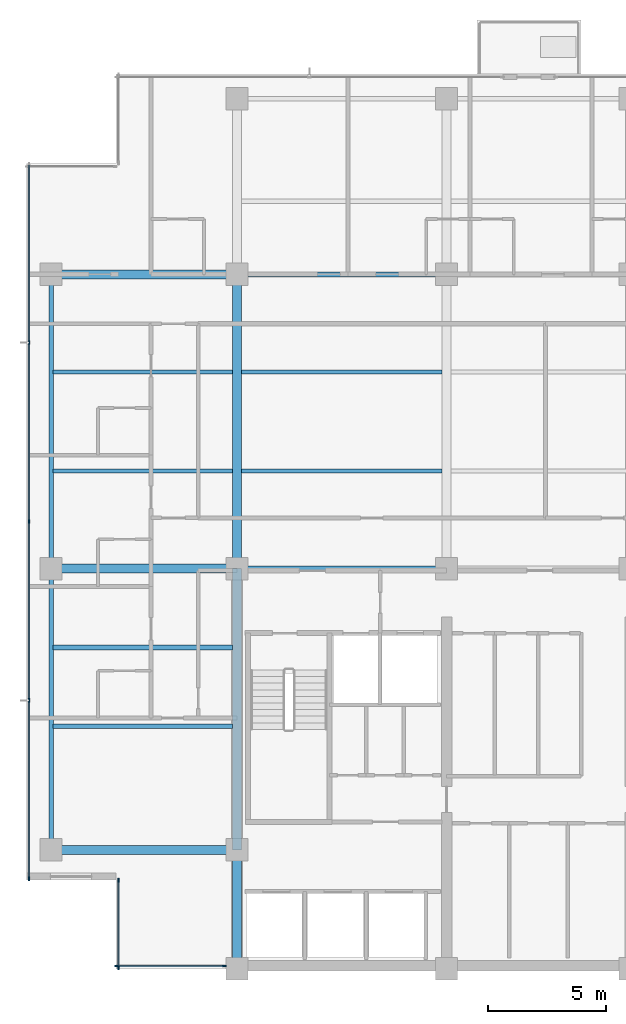
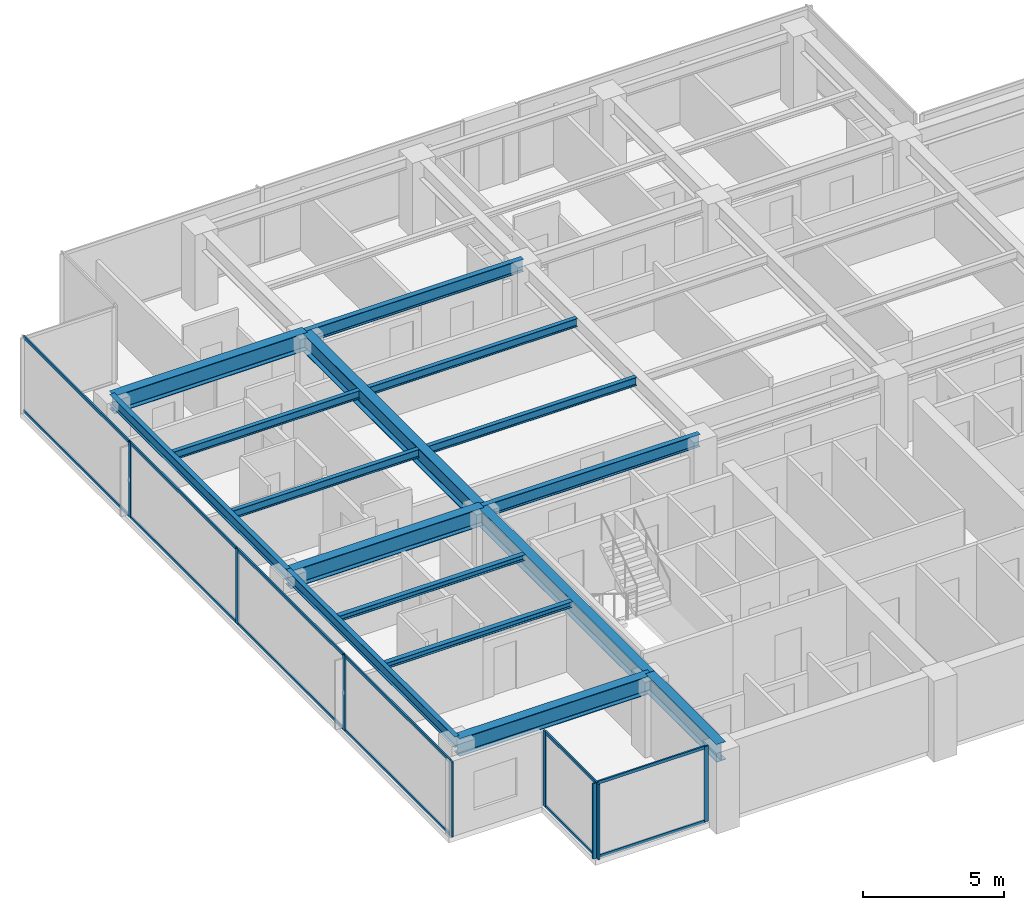
# One storey, part 2 of 15: 20 members, 16 beams, 3 elements without a shape of their own.
"""IFC4 building model written with IfcOpenShell, lengths in metres."""

import ifcopenshell
import ifcopenshell.guid

model = None  # the IFC model being written
_history = None  # IfcOwnerHistory: only IFC2X3 demands one
_inside = {}  # id of a spatial element -> (the spatial element, [elements in it])
_under = {}  # id of a project, library or spatial element -> (it, [spatial elements below it])
_declared = {}  # id of a project -> (the project, [libraries it declares])
_typed = {}  # id of a type object -> (the type object, [elements of that type])
_made_of = {}  # id of a material, layer set ... -> (it, [elements and type objects made of it])


def new_model(schema):
    """Start an empty IFC model of exactly this schema.

    Asked for "IFC4X3", IfcOpenShell would pick the latest addendum, in which some entities
    have other attributes; the version numbers below select the first issue.
    IFC2X3 requires an IfcOwnerHistory on every rooted entity: one is made here for all.
    """
    global model, _history
    if schema == "IFC4X3":
        model = ifcopenshell.file(schema_version=(4, 3, 0, 0))
    else:
        model = ifcopenshell.file(schema=schema)
    _inside.clear()
    _under.clear()
    _declared.clear()
    _typed.clear()
    _made_of.clear()
    _history = None
    if model.schema == "IFC2X3":
        org = make("IfcOrganization", Name="unknown")
        user = make(
            "IfcPersonAndOrganization",
            ThePerson=make("IfcPerson", FamilyName="unknown"),
            TheOrganization=org,
        )
        app = make(
            "IfcApplication",
            ApplicationDeveloper=org,
            Version="unknown",
            ApplicationFullName="unknown",
            ApplicationIdentifier="unknown",
        )
        _history = make(
            "IfcOwnerHistory",
            OwningUser=user,
            OwningApplication=app,
            ChangeAction="ADDED",
            CreationDate=0,
        )
    return model


def make(cls, **values):
    """One entity of the class cls with the attributes given. An attribute that is None is left unset."""
    return model.create_entity(
        cls, **{name: value for name, value in values.items() if value is not None}
    )


def rooted(cls, **values):
    """An entity with a GlobalId (a new one), such as an element, a storey or a relation."""
    return make(cls, GlobalId=ifcopenshell.guid.new(), OwnerHistory=_history, **values)


def si_unit(unit_type, name, prefix=None):
    """IfcSIUnit, for example si_unit("LENGTHUNIT", "METRE", prefix="MILLI")."""
    return make("IfcSIUnit", UnitType=unit_type, Prefix=prefix, Name=name)


def assignment(units):
    """IfcUnitAssignment: the units of a project."""
    return None if units is None else make("IfcUnitAssignment", Units=units)


def point(xyz):
    """IfcCartesianPoint."""
    return None if xyz is None else make("IfcCartesianPoint", Coordinates=xyz)


def direction(xyz):
    """IfcDirection."""
    return None if xyz is None else make("IfcDirection", DirectionRatios=xyz)


def frame(location, z_axis=None, x_axis=None):
    """IfcAxis2Placement3D, a coordinate frame: its origin and axes. An axis left out is left unset."""
    return make(
        "IfcAxis2Placement3D",
        Location=point(location),
        Axis=direction(z_axis),
        RefDirection=direction(x_axis),
    )


def frame_2d(location, x_axis=None):
    """IfcAxis2Placement2D, a coordinate frame in the plane: its origin and x axis."""
    return make(
        "IfcAxis2Placement2D", Location=point(location), RefDirection=direction(x_axis)
    )


def origin():
    """The frame at (0, 0, 0) with its axes left unset."""
    return frame((0.0, 0.0, 0.0))


def origin_2d():
    """The frame at (0, 0) in the plane with its x axis left unset."""
    return frame_2d((0.0, 0.0))


def place(relative_to, where):
    """IfcLocalPlacement: puts the frame where relative to a parent placement (None: the world)."""
    return make(
        "IfcLocalPlacement", PlacementRelTo=relative_to, RelativePlacement=where
    )


def context(
    kind, dimensions, precision=None, world=None, true_north=None, identifier=None
):
    """IfcGeometricRepresentationContext, for example the 3D "Model" context."""
    return make(
        "IfcGeometricRepresentationContext",
        ContextIdentifier=identifier,
        ContextType=kind,
        CoordinateSpaceDimension=dimensions,
        Precision=precision,
        WorldCoordinateSystem=world,
        TrueNorth=true_north,
    )


def subcontext(parent, identifier, kind, view, scale=None):
    """IfcGeometricRepresentationSubContext, for example "Body" below "Model"."""
    return make(
        "IfcGeometricRepresentationSubContext",
        ContextIdentifier=identifier,
        ContextType=kind,
        ParentContext=parent,
        TargetScale=scale,
        TargetView=view,
    )


def project(units=None, contexts=None):
    """IfcProject with its units and contexts."""
    return rooted(
        "IfcProject",
        Name="project",
        RepresentationContexts=contexts,
        UnitsInContext=assignment(units),
    )


def spatial(cls, under=None, at=None, **own):
    """A site, building, storey or space (cls), placed at a placement, below another one or the project."""
    s = rooted(cls, ObjectPlacement=at, **own)
    if under is not None:
        _under.setdefault(under.id(), (under, []))[1].append(s)
    return s


def profile(cls, at=None, kind="AREA", **sizes):
    """A parametric profile (cls). Its sizes go by their IFC names, for example OverallWidth=200.0."""
    return make(cls, ProfileType=kind, Position=at, **sizes)


def rectangle(**sizes):
    """IfcRectangleProfileDef."""
    return profile("IfcRectangleProfileDef", **sizes)


def i_section(**sizes):
    """IfcIShapeProfileDef."""
    return profile("IfcIShapeProfileDef", **sizes)


def extrude(swept, where, along, depth):
    """IfcExtrudedAreaSolid: the profile swept, set in the frame where, extruded along a direction by depth."""
    return make(
        "IfcExtrudedAreaSolid",
        SweptArea=swept,
        Position=where,
        ExtrudedDirection=direction(along),
        Depth=depth,
    )


def shape(context_of_items, identifier, shape_type, items):
    """IfcShapeRepresentation: the items that make up one representation, for example the "Body"."""
    return make(
        "IfcShapeRepresentation",
        ContextOfItems=context_of_items,
        RepresentationIdentifier=identifier,
        RepresentationType=shape_type,
        Items=items,
    )


def material(Name=None, Category=None):
    """IfcMaterial."""
    return make("IfcMaterial", Name=Name, Category=Category)


def layer(
    of_material, thickness, ventilated=None, Name=None, Category=None, Priority=None
):
    """IfcMaterialLayer: one layer of a wall or slab, of a material (None: an air gap)."""
    return make(
        "IfcMaterialLayer",
        Material=of_material,
        LayerThickness=thickness,
        IsVentilated=ventilated,
        Name=Name,
        Category=Category,
        Priority=Priority,
    )


def layer_set(layers, Name=None):
    """IfcMaterialLayerSet."""
    return make("IfcMaterialLayerSet", MaterialLayers=layers, LayerSetName=Name)


def material_profile(
    of_material, cross_section, Name=None, Category=None, Priority=None
):
    """IfcMaterialProfile: a cross section and its material."""
    return make(
        "IfcMaterialProfile",
        Name=Name,
        Material=of_material,
        Profile=cross_section,
        Priority=Priority,
        Category=Category,
    )


def profile_set(profiles, Name=None, composite=None):
    """IfcMaterialProfileSet."""
    return make(
        "IfcMaterialProfileSet",
        Name=Name,
        MaterialProfiles=profiles,
        CompositeProfile=composite,
    )


def made_of(thing, what):
    """Note that an element or type object is made of a material, layer set ...; save() writes the relation."""
    if what is not None:
        _made_of.setdefault(what.id(), (what, []))[1].append(thing)
    return thing


def type_object(cls, material=None, **own):
    """A type object (cls), such as IfcWallType, which elements share."""
    return made_of(rooted(cls, **own), material)


def element(
    cls,
    number,
    at=None,
    inside=None,
    cuts=None,
    type_object=None,
    material=None,
    context=None,
    identifier="Body",
    shape_type=None,
    held_by="IfcProductDefinitionShape",
    body=None,
    shapes=None,
    **own,
):
    """One element of the class cls, such as IfcWall. Its Tag is "e" and its number.

    at: its placement. inside: the storey or other place that contains it. cuts: it is an
    opening in that element (IfcRelVoidsElement). A single representation is given by context,
    identifier, shape_type and body (its items); several are given by shapes. held_by: the class
    of the entity that holds the representations. save() writes the other relations.
    """
    e = rooted(cls, Tag="e%d" % number, ObjectPlacement=at, **own)
    if body is not None:
        shapes = [shape(context, identifier, shape_type, body)]
    if shapes is not None:
        e.Representation = make(held_by, Representations=shapes)
    if inside is not None:
        _inside.setdefault(inside.id(), (inside, []))[1].append(e)
    if cuts is not None:
        rooted(
            "IfcRelVoidsElement", RelatingBuildingElement=cuts, RelatedOpeningElement=e
        )
    if type_object is not None:
        _typed.setdefault(type_object.id(), (type_object, []))[1].append(e)
    return made_of(e, material)


def aggregate(whole, parts):
    """IfcRelAggregates: a whole, such as a stair, and the parts it consists of."""
    return rooted("IfcRelAggregates", RelatingObject=whole, RelatedObjects=parts)


def save(model, path):
    """Write the relations noted so far, then the file.

    IfcRelAggregates (storeys below a building ...), IfcRelContainedInSpatialStructure (elements
    in a storey), IfcRelDefinesByType, IfcRelAssociatesMaterial and IfcRelDeclares: one each for
    every whole, place, type object, material and project.
    """
    for whole, parts in _under.values():
        aggregate(whole, parts)
    for where, things in _inside.values():
        rooted(
            "IfcRelContainedInSpatialStructure",
            RelatedElements=things,
            RelatingStructure=where,
        )
    for kind, things in _typed.values():
        rooted("IfcRelDefinesByType", RelatedObjects=things, RelatingType=kind)
    for what, things in _made_of.values():
        rooted("IfcRelAssociatesMaterial", RelatedObjects=things, RelatingMaterial=what)
    for by, libraries in _declared.values():
        rooted("IfcRelDeclares", RelatingContext=by, RelatedDefinitions=libraries)
    model.write(path)


model = new_model("IFC4")

# Units and contexts
model_context = context("Model", 3, precision=1e-05, world=origin(), true_north=direction((0.0, 1.0)))
body_context = subcontext(model_context, "Body", "Model", "MODEL_VIEW")
ifc_project = project(units=[si_unit("LENGTHUNIT", "METRE"), si_unit("AREAUNIT", "SQUARE_METRE"), si_unit("VOLUMEUNIT", "CUBIC_METRE"), si_unit("PLANEANGLEUNIT", "RADIAN"), si_unit("MASSUNIT", "GRAM", prefix="KILO")], contexts=[model_context])

# Site, building, storey
site_placement = place(None, origin())
site = spatial("IfcSite", under=ifc_project, at=site_placement, CompositionType="ELEMENT")
building_placement = place(site_placement, origin())
building = spatial("IfcBuilding", under=site, at=building_placement, Name="Qalmaran Belvedere Hotel", CompositionType="ELEMENT")
storey_placement = place(building_placement, frame((0.0, 0.0, 196.89990234375)))
storey = spatial("IfcBuildingStorey", under=building, at=storey_placement, Name="L49", CompositionType="ELEMENT", Elevation=196.89990234375)

# Beams
ifc_material_1 = material(Name="Steel S355JR", Category="steel")
ifc_material_profile_1 = material_profile(ifc_material_1, i_section(OverallWidth=0.201904296875, OverallDepth=0.2470703125, WebThickness=0.00732421875, FlangeThickness=0.010986328125, FilletRadius=0.011962890625, at=origin_2d()), Name="W250X49")
ifc_profile_set_1 = profile_set([ifc_material_profile_1], Name="Steel S355JR")
beam_type_1 = type_object("IfcBeamType", Name="BM-JST-W250X49", PredefinedType="JOIST", material=ifc_profile_set_1)
for number, where, z_axis, x_axis, name in (
    (1, (12.493896484375, 13.800048828125, 3.13671875), (1.0, 0.0, 0.0), (0.0, 1.0, 0.0), "L49 West Wing Joist 038"),
    (2, (12.493896484375, 17.14990234375, 3.13671875), (1.0, 0.0, 0.0), (0.0, 1.0, 0.0), "L49 West Wing Joist 040"),
):
    element("IfcBeam", number, at=place(storey_placement, frame(where, z_axis=z_axis, x_axis=x_axis)), inside=storey, type_object=beam_type_1, Name=name, PredefinedType="JOIST", context=body_context, shape_type="SweptSolid", body=[
        extrude(i_section(OverallWidth=0.201904296875, OverallDepth=0.2470703125, WebThickness=0.00732421875, FlangeThickness=0.010986328125, FilletRadius=0.011962890625, at=origin_2d()), origin(), (0.0, 0.0, 1.0), 7.61767578125),
    ])
ifc_material_profile_2 = material_profile(ifc_material_1, i_section(OverallWidth=0.381103515625, OverallDepth=0.77294921875, WebThickness=0.0166015625, FlangeThickness=0.027099609375, FilletRadius=0.02197265625, at=origin_2d()), Name="W760X257")
ifc_profile_set_2 = profile_set([ifc_material_profile_2], Name="Steel S355JR")
beam_type_2 = type_object("IfcBeamType", Name="BM-PG4-W760X257", PredefinedType="USERDEFINED", material=ifc_profile_set_2)
beam_1_placement = place(storey_placement, frame((20.300048828125, 20.5, 2.87353515625), z_axis=(0.0, 1.0, 0.0), x_axis=(-1.0, 0.0, 0.0)))
element("IfcBeam", 3, at=beam_1_placement, inside=storey, type_object=beam_type_2, Name="L49 Mid-Plate N-S Girder 14", ObjectType="GIRDER", PredefinedType="USERDEFINED", context=body_context, shape_type="SweptSolid", body=[
    extrude(i_section(OverallWidth=0.381103515625, OverallDepth=0.77294921875, WebThickness=0.0166015625, FlangeThickness=0.027099609375, FilletRadius=0.02197265625, at=origin_2d()), origin(), (0.0, 0.0, 1.0), 12.5),
])
for number, where, z_axis, x_axis, name in (
    (4, (12.39990234375, 8.550048828125, 2.87353515625), (1.0, 0.0, 0.0), (0.0, 1.0, 0.0), "L49 West Wing Girder 22"),
    (5, (12.39990234375, 20.5, 2.87353515625), (1.0, 0.0, 0.0), (0.0, 1.0, 0.0), "L49 West Wing Girder 23"),
    (6, (12.39990234375, 33.0, 2.87353515625), (1.0, 0.0, 0.0), (0.0, 1.0, 0.0), "L49 West Wing Girder 24"),
):
    element("IfcBeam", number, at=place(storey_placement, frame(where, z_axis=z_axis, x_axis=x_axis)), inside=storey, type_object=beam_type_2, Name=name, ObjectType="GIRDER", PredefinedType="USERDEFINED", context=body_context, shape_type="SweptSolid", body=[
        extrude(i_section(OverallWidth=0.381103515625, OverallDepth=0.77294921875, WebThickness=0.0166015625, FlangeThickness=0.027099609375, FilletRadius=0.02197265625, at=origin_2d()), origin(), (0.0, 0.0, 1.0), 7.900146484375),
    ])
beam_2_placement = place(storey_placement, frame((20.300048828125, 3.5, 2.87353515625), z_axis=(0.0, 1.0, 0.0), x_axis=(-1.0, 0.0, 0.0)))
element("IfcBeam", 7, at=beam_2_placement, inside=storey, type_object=beam_type_2, Name="L49 West Core Edge Girder A", ObjectType="GIRDER", PredefinedType="USERDEFINED", context=body_context, shape_type="SweptSolid", body=[
    extrude(i_section(OverallWidth=0.381103515625, OverallDepth=0.77294921875, WebThickness=0.0166015625, FlangeThickness=0.027099609375, FilletRadius=0.02197265625, at=origin_2d()), origin(), (0.0, 0.0, 1.0), 5.050048828125),
])
beam_3_placement = place(storey_placement, frame((20.300048828125, 8.550048828125, 2.87353515625), z_axis=(0.0, 1.0, 0.0), x_axis=(-1.0, 0.0, 0.0)))
element("IfcBeam", 8, at=beam_3_placement, inside=storey, type_object=beam_type_2, Name="L49 West Core Edge Girder B", ObjectType="GIRDER", PredefinedType="USERDEFINED", context=body_context, shape_type="SweptSolid", body=[
    extrude(i_section(OverallWidth=0.381103515625, OverallDepth=0.77294921875, WebThickness=0.0166015625, FlangeThickness=0.027099609375, FilletRadius=0.02197265625, at=origin_2d()), origin(), (0.0, 0.0, 1.0), 11.949951171875),
])
ifc_material_profile_3 = material_profile(ifc_material_1, i_section(OverallWidth=0.172119140625, OverallDepth=0.35791015625, WebThickness=0.0078125, FlangeThickness=0.01318359375, FilletRadius=0.014892578125, at=origin_2d()), Name="W360X57")
ifc_profile_set_3 = profile_set([ifc_material_profile_3], Name="Steel S355JR")
beam_type_3 = type_object("IfcBeamType", Name="BM-SB4-W360X57", PredefinedType="BEAM", material=ifc_profile_set_3)
beam_4_placement = place(storey_placement, frame((12.493896484375, 24.64990234375, 3.0810546875), z_axis=(1.0, 0.0, 0.0), x_axis=(0.0, 1.0, 0.0)))
element("IfcBeam", 9, at=beam_4_placement, inside=storey, type_object=beam_type_3, Name="L49 West Secondary Beam 028", PredefinedType="BEAM", context=body_context, shape_type="SweptSolid", body=[
    extrude(i_section(OverallWidth=0.172119140625, OverallDepth=0.35791015625, WebThickness=0.0078125, FlangeThickness=0.01318359375, FilletRadius=0.014892578125, at=origin_2d()), origin(), (0.0, 0.0, 1.0), 7.61767578125),
])
beam_5_placement = place(storey_placement, frame((20.488525390625, 24.64990234375, 3.0810546875), z_axis=(1.0, 0.0, 0.0), x_axis=(0.0, 1.0, 0.0)))
element("IfcBeam", 10, at=beam_5_placement, inside=storey, type_object=beam_type_3, Name="L49 Secondary Floor Beam 029", PredefinedType="BEAM", context=body_context, shape_type="SweptSolid", body=[
    extrude(i_section(OverallWidth=0.172119140625, OverallDepth=0.35791015625, WebThickness=0.0078125, FlangeThickness=0.01318359375, FilletRadius=0.014892578125, at=origin_2d()), origin(), (0.0, 0.0, 1.0), 8.52294921875),
])
beam_6_placement = place(storey_placement, frame((12.493896484375, 28.85009765625, 3.0810546875), z_axis=(1.0, 0.0, 0.0), x_axis=(0.0, 1.0, 0.0)))
element("IfcBeam", 11, at=beam_6_placement, inside=storey, type_object=beam_type_3, Name="L49 West Secondary Beam 033", PredefinedType="BEAM", context=body_context, shape_type="SweptSolid", body=[
    extrude(i_section(OverallWidth=0.172119140625, OverallDepth=0.35791015625, WebThickness=0.0078125, FlangeThickness=0.01318359375, FilletRadius=0.014892578125, at=origin_2d()), origin(), (0.0, 0.0, 1.0), 7.61767578125),
])
beam_7_placement = place(storey_placement, frame((20.488525390625, 28.85009765625, 3.0810546875), z_axis=(1.0, 0.0, 0.0), x_axis=(0.0, 1.0, 0.0)))
element("IfcBeam", 12, at=beam_7_placement, inside=storey, type_object=beam_type_3, Name="L49 Secondary Floor Beam 034", PredefinedType="BEAM", context=body_context, shape_type="SweptSolid", body=[
    extrude(i_section(OverallWidth=0.172119140625, OverallDepth=0.35791015625, WebThickness=0.0078125, FlangeThickness=0.01318359375, FilletRadius=0.014892578125, at=origin_2d()), origin(), (0.0, 0.0, 1.0), 8.52294921875),
])
ifc_material_profile_4 = material_profile(ifc_material_1, i_section(OverallWidth=0.19189453125, OverallDepth=0.462890625, WebThickness=0.010498046875, FlangeThickness=0.017578125, FilletRadius=0.01611328125, at=origin_2d()), Name="W460X89")
ifc_profile_set_4 = profile_set([ifc_material_profile_4], Name="Steel S355JR")
beam_type_4 = type_object("IfcBeamType", Name="BM-SP2-W460X89", PredefinedType="SPANDREL", material=ifc_profile_set_4)
beam_8_placement = place(storey_placement, frame((12.39990234375, 8.550048828125, 3.028564453125), z_axis=(0.0, 1.0, 0.0), x_axis=(-1.0, 0.0, 0.0)))
element("IfcBeam", 13, at=beam_8_placement, inside=storey, type_object=beam_type_4, Name="L49 Perimeter Spandrel 01", PredefinedType="SPANDREL", context=body_context, shape_type="SweptSolid", body=[
    extrude(i_section(OverallWidth=0.19189453125, OverallDepth=0.462890625, WebThickness=0.010498046875, FlangeThickness=0.017578125, FilletRadius=0.01611328125, at=origin_2d()), origin(), (0.0, 0.0, 1.0), 11.949951171875),
])
beam_9_placement = place(storey_placement, frame((12.39990234375, 20.5, 3.028564453125), z_axis=(0.0, 1.0, 0.0), x_axis=(-1.0, 0.0, 0.0)))
element("IfcBeam", 14, at=beam_9_placement, inside=storey, type_object=beam_type_4, Name="L49 Perimeter Spandrel 02", PredefinedType="SPANDREL", context=body_context, shape_type="SweptSolid", body=[
    extrude(i_section(OverallWidth=0.19189453125, OverallDepth=0.462890625, WebThickness=0.010498046875, FlangeThickness=0.017578125, FilletRadius=0.01611328125, at=origin_2d()), origin(), (0.0, 0.0, 1.0), 12.5),
])
ifc_material_profile_5 = material_profile(ifc_material_1, i_section(OverallWidth=0.2109375, OverallDepth=0.5390625, WebThickness=0.01171875, FlangeThickness=0.018798828125, FilletRadius=0.01806640625, at=origin_2d()), Name="W530X109")
ifc_profile_set_5 = profile_set([ifc_material_profile_5], Name="Steel S355JR")
beam_type_5 = type_object("IfcBeamType", Name="BM-Z4-W530X109", PredefinedType="USERDEFINED", material=ifc_profile_set_5)
for number, where, z_axis, x_axis, name in (
    (15, (20.300048828125, 20.5, 2.990478515625), (1.0, 0.0, 0.0), (0.0, 1.0, 0.0), "L49 Interior E-W Girder 08"),
    (16, (20.300048828125, 33.0, 2.990478515625), (1.0, 0.0, 0.0), (0.0, 1.0, 0.0), "L49 Interior E-W Girder 11"),
):
    element("IfcBeam", number, at=place(storey_placement, frame(where, z_axis=z_axis, x_axis=x_axis)), inside=storey, type_object=beam_type_5, Name=name, ObjectType="GIRDER", PredefinedType="USERDEFINED", context=body_context, shape_type="SweptSolid", body=[
        extrude(i_section(OverallWidth=0.2109375, OverallDepth=0.5390625, WebThickness=0.01171875, FlangeThickness=0.018798828125, FilletRadius=0.01806640625, at=origin_2d()), origin(), (0.0, 0.0, 1.0), 8.89990234375),
    ])

# Curtain wall, members
ifc_material_2 = material(Name="Anodised Bronze Aluminium", Category="aluminium")
ifc_layer = layer(ifc_material_2, 0.18994140625, Name="Anodised Bronze Aluminium")
ifc_layer_set = layer_set([ifc_layer], Name="Anodised Bronze Aluminium")
curtain_wall_type = type_object("IfcCurtainWallType", Name="CW5-TOWER-UPPER", PredefinedType="NOTDEFINED", material=ifc_layer_set)
curtain_wall_1_placement = place(storey_placement, origin())
curtain_wall_1 = element("IfcCurtainWall", 17, at=curtain_wall_1_placement, inside=storey, type_object=curtain_wall_type, Name="L49 Curtain Wall CW5", PredefinedType="NOTDEFINED")
ifc_material_profile_6 = material_profile(ifc_material_2, rectangle(XDim=0.06494140625, YDim=0.1650390625, at=origin_2d()), Name="CWM65X165")
ifc_profile_set_6 = profile_set([ifc_material_profile_6], Name="Anodised Bronze Aluminium")
member_type_1 = type_object("IfcMemberType", Name="CWM-65X165", PredefinedType="MULLION", material=ifc_profile_set_6)
member_1_placement = place(storey_placement, frame((15.1826171875, 3.6201171875, 0.0), z_axis=(0.0, 0.0, 1.0), x_axis=(0.0, 1.0, 0.0)))
member_1 = element("IfcMember", 18, at=member_1_placement, type_object=member_type_1, Name="CW5 mullion 1", PredefinedType="MULLION", context=body_context, shape_type="SweptSolid", body=[
    extrude(rectangle(XDim=0.06494140625, YDim=0.1650390625, at=origin_2d()), origin(), (0.0, 0.0, 1.0), 3.260009765625),
])
member_2_placement = place(storey_placement, frame((19.75244140625, 3.6201171875, 0.0), z_axis=(0.0, 0.0, 1.0), x_axis=(0.0, 1.0, 0.0)))
member_2 = element("IfcMember", 19, at=member_2_placement, type_object=member_type_1, Name="CW5 mullion 2", PredefinedType="MULLION", context=body_context, shape_type="SweptSolid", body=[
    extrude(rectangle(XDim=0.06494140625, YDim=0.1650390625, at=origin_2d()), origin(), (0.0, 0.0, 1.0), 3.260009765625),
])

curtain_wall_2_placement = place(storey_placement, origin())
curtain_wall_2 = element("IfcCurtainWall", 20, at=curtain_wall_2_placement, inside=storey, type_object=curtain_wall_type, Name="L49 Curtain Wall CW5", PredefinedType="NOTDEFINED")
member_3_placement = place(storey_placement, frame((11.469970703125, 30.10009765625, 0.0), z_axis=(0.0, 0.0, 1.0), x_axis=(1.0, 0.0, 0.0)))
member_3 = element("IfcMember", 21, at=member_3_placement, type_object=member_type_1, Name="CW5 mullion 2", PredefinedType="MULLION", context=body_context, shape_type="SweptSolid", body=[
    extrude(rectangle(XDim=0.06494140625, YDim=0.1650390625, at=origin_2d()), origin(), (0.0, 0.0, 1.0), 3.260009765625),
])
member_4_placement = place(storey_placement, frame((11.469970703125, 22.5, 0.0), z_axis=(0.0, 0.0, 1.0), x_axis=(1.0, 0.0, 0.0)))
member_4 = element("IfcMember", 22, at=member_4_placement, type_object=member_type_1, Name="CW5 mullion 3", PredefinedType="MULLION", context=body_context, shape_type="SweptSolid", body=[
    extrude(rectangle(XDim=0.06494140625, YDim=0.1650390625, at=origin_2d()), origin(), (0.0, 0.0, 1.0), 3.260009765625),
])
member_5_placement = place(storey_placement, frame((11.469970703125, 14.89990234375, 0.0), z_axis=(0.0, 0.0, 1.0), x_axis=(1.0, 0.0, 0.0)))
member_5 = element("IfcMember", 23, at=member_5_placement, type_object=member_type_1, Name="CW5 mullion 4", PredefinedType="MULLION", context=body_context, shape_type="SweptSolid", body=[
    extrude(rectangle(XDim=0.06494140625, YDim=0.1650390625, at=origin_2d()), origin(), (0.0, 0.0, 1.0), 3.260009765625),
])
member_6_placement = place(storey_placement, frame((11.469970703125, 7.33251953125, 0.0), z_axis=(0.0, 0.0, 1.0), x_axis=(1.0, 0.0, 0.0)))
member_6 = element("IfcMember", 24, at=member_6_placement, type_object=member_type_1, Name="CW5 mullion 5", PredefinedType="MULLION", context=body_context, shape_type="SweptSolid", body=[
    extrude(rectangle(XDim=0.06494140625, YDim=0.1650390625, at=origin_2d()), origin(), (0.0, 0.0, 1.0), 3.260009765625),
])

curtain_wall_3_placement = place(storey_placement, origin())
curtain_wall_3 = element("IfcCurtainWall", 25, at=curtain_wall_3_placement, inside=storey, type_object=curtain_wall_type, Name="L49 Curtain Wall CW5", PredefinedType="NOTDEFINED")
member_7_placement = place(storey_placement, frame((15.27001953125, 7.267578125, 0.0), z_axis=(0.0, 0.0, 1.0), x_axis=(1.0, 0.0, 0.0)))
member_7 = element("IfcMember", 26, at=member_7_placement, type_object=member_type_1, Name="CW5 mullion 1", PredefinedType="MULLION", context=body_context, shape_type="SweptSolid", body=[
    extrude(rectangle(XDim=0.06494140625, YDim=0.1650390625, at=origin_2d()), origin(), (0.0, 0.0, 1.0), 3.260009765625),
])
member_8_placement = place(storey_placement, frame((15.27001953125, 3.532470703125, 0.0), z_axis=(0.0, 0.0, 1.0), x_axis=(1.0, 0.0, 0.0)))
member_8 = element("IfcMember", 27, at=member_8_placement, type_object=member_type_1, Name="CW5 mullion 2", PredefinedType="MULLION", context=body_context, shape_type="SweptSolid", body=[
    extrude(rectangle(XDim=0.06494140625, YDim=0.1650390625, at=origin_2d()), origin(), (0.0, 0.0, 1.0), 3.260009765625),
])

# Member
ifc_material_profile_7 = material_profile(ifc_material_2, rectangle(XDim=0.06494140625, YDim=0.1298828125, at=origin_2d()), Name="CWT65X130")
ifc_profile_set_7 = profile_set([ifc_material_profile_7], Name="Anodised Bronze Aluminium")
member_type_2 = type_object("IfcMemberType", Name="CWT-65X130", PredefinedType="USERDEFINED", material=ifc_profile_set_7)
member_9_placement = place(storey_placement, frame((15.215087890625, 3.6201171875, 0.03271484375), z_axis=(1.0, 0.0, 0.0), x_axis=(0.0, 1.0, 0.0)))
member_9 = element("IfcMember", 28, at=member_9_placement, type_object=member_type_2, Name="CW5 transom 1.1", ObjectType="TRANSOM", PredefinedType="USERDEFINED", context=body_context, shape_type="SweptSolid", body=[
    extrude(rectangle(XDim=0.06494140625, YDim=0.1298828125, at=origin_2d()), origin(), (0.0, 0.0, 1.0), 4.5048828125),
])

member_10_placement = place(storey_placement, frame((15.215087890625, 3.6201171875, 3.2275390625), z_axis=(1.0, 0.0, 0.0), x_axis=(0.0, 1.0, 0.0)))
member_10 = element("IfcMember", 29, at=member_10_placement, type_object=member_type_2, Name="CW5 transom 1.2", ObjectType="TRANSOM", PredefinedType="USERDEFINED", context=body_context, shape_type="SweptSolid", body=[
    extrude(rectangle(XDim=0.06494140625, YDim=0.1298828125, at=origin_2d()), origin(), (0.0, 0.0, 1.0), 4.5048828125),
])

aggregate(curtain_wall_1, [member_1, member_2, member_9, member_10])

member_11_placement = place(storey_placement, frame((11.469970703125, 37.635009765625, 0.03271484375), z_axis=(0.0, -1.0, 0.0), x_axis=(1.0, 0.0, 0.0)))
member_11 = element("IfcMember", 30, at=member_11_placement, type_object=member_type_2, Name="CW5 transom 1.1", ObjectType="TRANSOM", PredefinedType="USERDEFINED", context=body_context, shape_type="SweptSolid", body=[
    extrude(rectangle(XDim=0.06494140625, YDim=0.1298828125, at=origin_2d()), origin(), (0.0, 0.0, 1.0), 7.50244140625),
])

member_12_placement = place(storey_placement, frame((11.469970703125, 37.635009765625, 3.2275390625), z_axis=(0.0, -1.0, 0.0), x_axis=(1.0, 0.0, 0.0)))
member_12 = element("IfcMember", 31, at=member_12_placement, type_object=member_type_2, Name="CW5 transom 1.2", ObjectType="TRANSOM", PredefinedType="USERDEFINED", context=body_context, shape_type="SweptSolid", body=[
    extrude(rectangle(XDim=0.06494140625, YDim=0.1298828125, at=origin_2d()), origin(), (0.0, 0.0, 1.0), 7.50244140625),
])

member_13_placement = place(storey_placement, frame((11.469970703125, 30.0673828125, 0.03271484375), z_axis=(0.0, -1.0, 0.0), x_axis=(1.0, 0.0, 0.0)))
member_13 = element("IfcMember", 32, at=member_13_placement, type_object=member_type_2, Name="CW5 transom 2.1", ObjectType="TRANSOM", PredefinedType="USERDEFINED", context=body_context, shape_type="SweptSolid", body=[
    extrude(rectangle(XDim=0.06494140625, YDim=0.1298828125, at=origin_2d()), origin(), (0.0, 0.0, 1.0), 7.534912109375),
])

member_14_placement = place(storey_placement, frame((11.469970703125, 30.0673828125, 3.2275390625), z_axis=(0.0, -1.0, 0.0), x_axis=(1.0, 0.0, 0.0)))
member_14 = element("IfcMember", 33, at=member_14_placement, type_object=member_type_2, Name="CW5 transom 2.2", ObjectType="TRANSOM", PredefinedType="USERDEFINED", context=body_context, shape_type="SweptSolid", body=[
    extrude(rectangle(XDim=0.06494140625, YDim=0.1298828125, at=origin_2d()), origin(), (0.0, 0.0, 1.0), 7.534912109375),
])

member_15_placement = place(storey_placement, frame((11.469970703125, 22.467529296875, 0.03271484375), z_axis=(0.0, -1.0, 0.0), x_axis=(1.0, 0.0, 0.0)))
member_15 = element("IfcMember", 34, at=member_15_placement, type_object=member_type_2, Name="CW5 transom 3.1", ObjectType="TRANSOM", PredefinedType="USERDEFINED", context=body_context, shape_type="SweptSolid", body=[
    extrude(rectangle(XDim=0.06494140625, YDim=0.1298828125, at=origin_2d()), origin(), (0.0, 0.0, 1.0), 7.534912109375),
])

member_16_placement = place(storey_placement, frame((11.469970703125, 22.467529296875, 3.2275390625), z_axis=(0.0, -1.0, 0.0), x_axis=(1.0, 0.0, 0.0)))
member_16 = element("IfcMember", 35, at=member_16_placement, type_object=member_type_2, Name="CW5 transom 3.2", ObjectType="TRANSOM", PredefinedType="USERDEFINED", context=body_context, shape_type="SweptSolid", body=[
    extrude(rectangle(XDim=0.06494140625, YDim=0.1298828125, at=origin_2d()), origin(), (0.0, 0.0, 1.0), 7.534912109375),
])

member_17_placement = place(storey_placement, frame((11.469970703125, 14.867431640625, 0.03271484375), z_axis=(0.0, -1.0, 0.0), x_axis=(1.0, 0.0, 0.0)))
member_17 = element("IfcMember", 36, at=member_17_placement, type_object=member_type_2, Name="CW5 transom 4.1", ObjectType="TRANSOM", PredefinedType="USERDEFINED", context=body_context, shape_type="SweptSolid", body=[
    extrude(rectangle(XDim=0.06494140625, YDim=0.1298828125, at=origin_2d()), origin(), (0.0, 0.0, 1.0), 7.50244140625),
])

member_18_placement = place(storey_placement, frame((11.469970703125, 14.867431640625, 3.2275390625), z_axis=(0.0, -1.0, 0.0), x_axis=(1.0, 0.0, 0.0)))
member_18 = element("IfcMember", 37, at=member_18_placement, type_object=member_type_2, Name="CW5 transom 4.2", ObjectType="TRANSOM", PredefinedType="USERDEFINED", context=body_context, shape_type="SweptSolid", body=[
    extrude(rectangle(XDim=0.06494140625, YDim=0.1298828125, at=origin_2d()), origin(), (0.0, 0.0, 1.0), 7.50244140625),
])

aggregate(curtain_wall_2, [member_3, member_4, member_5, member_6, member_11, member_12, member_13, member_14, member_15, member_16, member_17, member_18])

member_19_placement = place(storey_placement, frame((15.27001953125, 7.235107421875, 0.03271484375), z_axis=(0.0, -1.0, 0.0), x_axis=(1.0, 0.0, 0.0)))
member_19 = element("IfcMember", 38, at=member_19_placement, type_object=member_type_2, Name="CW5 transom 1.1", ObjectType="TRANSOM", PredefinedType="USERDEFINED", context=body_context, shape_type="SweptSolid", body=[
    extrude(rectangle(XDim=0.06494140625, YDim=0.1298828125, at=origin_2d()), origin(), (0.0, 0.0, 1.0), 3.670166015625),
])

member_20_placement = place(storey_placement, frame((15.27001953125, 7.235107421875, 3.2275390625), z_axis=(0.0, -1.0, 0.0), x_axis=(1.0, 0.0, 0.0)))
member_20 = element("IfcMember", 39, at=member_20_placement, type_object=member_type_2, Name="CW5 transom 1.2", ObjectType="TRANSOM", PredefinedType="USERDEFINED", context=body_context, shape_type="SweptSolid", body=[
    extrude(rectangle(XDim=0.06494140625, YDim=0.1298828125, at=origin_2d()), origin(), (0.0, 0.0, 1.0), 3.670166015625),
])

aggregate(curtain_wall_3, [member_7, member_8, member_19, member_20])

save(model, "model.ifc")
